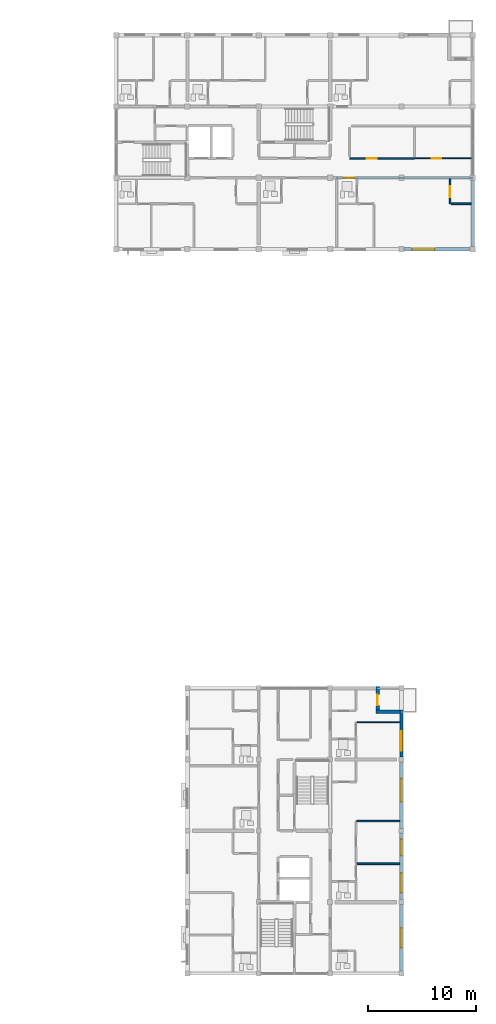
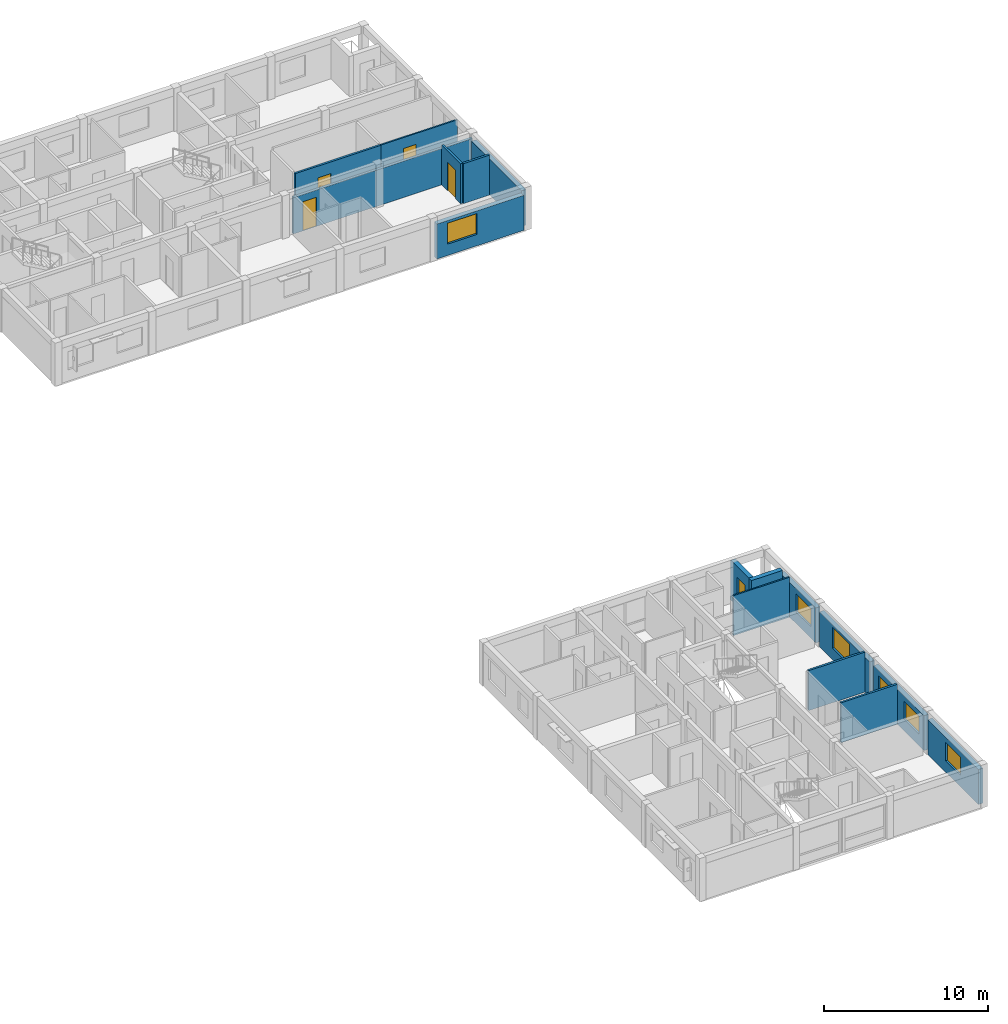
# One storey, part 40 of 53: 16 walls, 6 windows, 5 doors, 11 openings.
"""IFC4 building model written with IfcOpenShell, lengths in metres."""

from ifc_helpers import new_model, si_unit, direction, frame, frame_2d, origin, place, context, subcontext, project, spatial, rectangle, extrude, material, layer, layer_set, type_object, element, fill, save


model = new_model("IFC4")

# Units and contexts
model_context = context("Model", 3, precision=1e-05, world=origin(), true_north=direction((0.0, 1.0)))
body_context = subcontext(model_context, "Body", "Model", "MODEL_VIEW")
ifc_project = project(units=[si_unit("LENGTHUNIT", "METRE"), si_unit("AREAUNIT", "SQUARE_METRE"), si_unit("VOLUMEUNIT", "CUBIC_METRE"), si_unit("PLANEANGLEUNIT", "RADIAN"), si_unit("MASSUNIT", "GRAM", prefix="KILO")], contexts=[model_context])

# Site, building, storey
site_placement = place(None, origin())
site = spatial("IfcSite", under=ifc_project, at=site_placement, CompositionType="ELEMENT")
building_placement = place(site_placement, origin())
building = spatial("IfcBuilding", under=site, at=building_placement, Name="Kernevlak Ridge Housing Community", CompositionType="ELEMENT")
storey_placement = place(building_placement, frame((0.0, 0.0, 24.39990234375)))
storey = spatial("IfcBuildingStorey", under=building, at=storey_placement, Name="L07", CompositionType="ELEMENT", Elevation=24.39990234375)

# Wall, opening, window
ifc_material_1 = material(Name="Concrete block masonry M10", Category="masonry")
ifc_layer_1 = layer(ifc_material_1, 0.320068359375, Name="Concrete block masonry M10")
ifc_layer_set_1 = layer_set([ifc_layer_1], Name="Concrete block masonry M10")
wall_type_1 = type_object("IfcWallType", Name="EW-02", PredefinedType="STANDARD", material=ifc_layer_set_1)
wall_1_placement = place(storey_placement, frame((146.050048828125, 82.60009765625, 0.0), z_axis=(0.0, 0.0, 1.0), x_axis=(1.0, 0.0, 0.0)))
wall_1 = element("IfcWall", 1, at=wall_1_placement, inside=storey, type_object=wall_type_1, Name="Exterior wall EW-02 L07 407", PredefinedType="STANDARD", context=body_context, shape_type="SweptSolid", body=[
    extrude(rectangle(XDim=6.099853515625, YDim=0.320068359375, at=frame_2d((3.0498046875, 0.0))), origin(), (0.0, 0.0, 1.0), 2.60009765625),
])
opening_1_placement = place(wall_1_placement, frame((0.72509765625, 0.0, 0.85009765625)))
opening_1 = element("IfcOpeningElement", 2, at=opening_1_placement, cuts=wall_1, Name="Opening WT-05", PredefinedType="OPENING", context=body_context, shape_type="SweptSolid", body=[
    extrude(rectangle(XDim=2.10009765625, YDim=1.550048828125, at=frame_2d((1.050048828125, 0.77490234375))), frame((0.0, 0.169921875, 0.0), z_axis=(0.0, -1.0, 0.0), x_axis=(1.0, 0.0, 0.0)), (0.0, 0.0, 1.0), 0.340087890625),
])
ifc_material_2 = material(Name="Aluminium EN AW-6060 anodised and laminated glass", Category="aluminium")
window_type_1 = type_object("IfcWindowType", Name="WT-05", PartitioningType="SINGLE_PANEL", PredefinedType="WINDOW", material=ifc_material_2)
window_1_placement = place(opening_1_placement, origin())
window_1 = element("IfcWindow", 3, at=window_1_placement, inside=storey, type_object=window_type_1, Name="Window WT-05 L07 314", OverallHeight=1.550048828125, OverallWidth=2.10009765625, PartitioningType="SINGLE_PANEL", PredefinedType="WINDOW", context=body_context, shape_type="SweptSolid", body=[
    extrude(rectangle(XDim=2.10009765625, YDim=1.550048828125, at=frame_2d((1.050048828125, 0.77490234375))), frame((0.0, 0.030029296875, 0.0), z_axis=(0.0, -1.0, 0.0), x_axis=(1.0, 0.0, 0.0)), (0.0, 0.0, 1.0), 0.06005859375),
])
fill(opening_1, window_1)

# Wall
wall_2_placement = place(storey_placement, frame((152.39990234375, 82.85009765625, 0.0), z_axis=(0.0, 0.0, 1.0), x_axis=(0.0, 1.0, 0.0)))
element("IfcWall", 4, at=wall_2_placement, inside=storey, type_object=wall_type_1, Name="Exterior wall EW-02 L07 417", PredefinedType="STANDARD", context=body_context, shape_type="SweptSolid", body=[
    extrude(rectangle(XDim=6.099853515625, YDim=0.320068359375, at=frame_2d((3.0498046875, 0.0))), origin(), (0.0, 0.0, 1.0), 2.650146484375),
])

# Wall, opening, window
wall_3_placement = place(storey_placement, frame((145.800048828125, 15.824951171875, 0.0), z_axis=(0.0, 0.0, 1.0), x_axis=(0.0, 1.0, 0.0)))
wall_3 = element("IfcWall", 5, at=wall_3_placement, inside=storey, type_object=wall_type_1, Name="Exterior wall EW-02 L07 632", PredefinedType="STANDARD", context=body_context, shape_type="SweptSolid", body=[
    extrude(rectangle(XDim=6.150146484375, YDim=0.320068359375, at=frame_2d((3.0751953125, 0.0))), origin(), (0.0, 0.0, 1.0), 2.60009765625),
])
opening_2_placement = place(wall_3_placement, frame((2.175048828125, 0.0, 0.85009765625)))
opening_2 = element("IfcOpeningElement", 6, at=opening_2_placement, cuts=wall_3, Name="Opening WT-03", PredefinedType="OPENING", context=body_context, shape_type="SweptSolid", body=[
    extrude(rectangle(XDim=1.800048828125, YDim=1.35009765625, at=frame_2d((0.89990234375, 0.675048828125))), frame((0.0, 0.169921875, 0.0), z_axis=(0.0, -1.0, 0.0), x_axis=(1.0, 0.0, 0.0)), (0.0, 0.0, 1.0), 0.340087890625),
])
window_type_2 = type_object("IfcWindowType", Name="WT-03", PartitioningType="SINGLE_PANEL", PredefinedType="WINDOW", material=ifc_material_2)
window_2_placement = place(opening_2_placement, origin())
window_2 = element("IfcWindow", 7, at=window_2_placement, inside=storey, type_object=window_type_2, Name="Window WT-03 L07 515", OverallHeight=1.35009765625, OverallWidth=1.800048828125, PartitioningType="SINGLE_PANEL", PredefinedType="WINDOW", context=body_context, shape_type="SweptSolid", body=[
    extrude(rectangle(XDim=1.800048828125, YDim=1.35009765625, at=frame_2d((0.89990234375, 0.675048828125))), frame((0.0, 0.030029296875, 0.0), z_axis=(0.0, -1.0, 0.0), x_axis=(1.0, 0.0, 0.0)), (0.0, 0.0, 1.0), 0.06005859375),
])
fill(opening_2, window_2)

# Wall, openings, windows
wall_4_placement = place(storey_placement, frame((145.800048828125, 22.425048828125, 0.0), z_axis=(0.0, 0.0, 1.0), x_axis=(0.0, 1.0, 0.0)))
wall_4 = element("IfcWall", 8, at=wall_4_placement, inside=storey, type_object=wall_type_1, Name="Exterior wall EW-02 L07 633", PredefinedType="STANDARD", context=body_context, shape_type="SweptSolid", body=[
    extrude(rectangle(XDim=6.14990234375, YDim=0.320068359375, at=frame_2d((3.074951171875, 0.0))), origin(), (0.0, 0.0, 1.0), 2.60009765625),
])
opening_3_placement = place(wall_4_placement, frame((0.64990234375, 0.0, 0.85009765625)))
opening_3 = element("IfcOpeningElement", 9, at=opening_3_placement, cuts=wall_4, Name="Opening WT-03", PredefinedType="OPENING", context=body_context, shape_type="SweptSolid", body=[
    extrude(rectangle(XDim=1.800048828125, YDim=1.35009765625, at=frame_2d((0.89990234375, 0.675048828125))), frame((0.0, 0.169921875, 0.0), z_axis=(0.0, -1.0, 0.0), x_axis=(1.0, 0.0, 0.0)), (0.0, 0.0, 1.0), 0.340087890625),
])
opening_4_placement = place(wall_4_placement, frame((4.074951171875, 0.0, 0.85009765625)))
opening_4 = element("IfcOpeningElement", 10, at=opening_4_placement, cuts=wall_4, Name="Opening WT-02", PredefinedType="OPENING", context=body_context, shape_type="SweptSolid", body=[
    extrude(rectangle(XDim=1.5, YDim=1.35009765625, at=frame_2d((0.75, 0.675048828125))), frame((0.0, 0.169921875, 0.0), z_axis=(0.0, -1.0, 0.0), x_axis=(1.0, 0.0, 0.0)), (0.0, 0.0, 1.0), 0.340087890625),
])
window_type_3 = type_object("IfcWindowType", Name="WT-02", PartitioningType="SINGLE_PANEL", PredefinedType="WINDOW", material=ifc_material_2)
window_3_placement = place(opening_4_placement, origin())
window_3 = element("IfcWindow", 11, at=window_3_placement, inside=storey, type_object=window_type_3, Name="Window WT-02 L07 517", OverallHeight=1.35009765625, OverallWidth=1.5, PartitioningType="SINGLE_PANEL", PredefinedType="WINDOW", context=body_context, shape_type="SweptSolid", body=[
    extrude(rectangle(XDim=1.5, YDim=1.35009765625, at=frame_2d((0.75, 0.675048828125))), frame((0.0, 0.030029296875, 0.0), z_axis=(0.0, -1.0, 0.0), x_axis=(1.0, 0.0, 0.0)), (0.0, 0.0, 1.0), 0.06005859375),
])
fill(opening_4, window_3)
window_4_placement = place(opening_3_placement, origin())
window_4 = element("IfcWindow", 12, at=window_4_placement, inside=storey, type_object=window_type_2, Name="Window WT-03 L07 516", OverallHeight=1.35009765625, OverallWidth=1.800048828125, PartitioningType="SINGLE_PANEL", PredefinedType="WINDOW", context=body_context, shape_type="SweptSolid", body=[
    extrude(rectangle(XDim=1.800048828125, YDim=1.35009765625, at=frame_2d((0.89990234375, 0.675048828125))), frame((0.0, 0.030029296875, 0.0), z_axis=(0.0, -1.0, 0.0), x_axis=(1.0, 0.0, 0.0)), (0.0, 0.0, 1.0), 0.06005859375),
])
fill(opening_3, window_4)

# Wall, opening, window
wall_5_placement = place(storey_placement, frame((145.800048828125, 29.02490234375, 0.0), z_axis=(0.0, 0.0, 1.0), x_axis=(0.0, 1.0, 0.0)))
wall_5 = element("IfcWall", 13, at=wall_5_placement, inside=storey, type_object=wall_type_1, Name="Exterior wall EW-02 L07 634", PredefinedType="STANDARD", context=body_context, shape_type="SweptSolid", body=[
    extrude(rectangle(XDim=6.150146484375, YDim=0.320068359375, at=frame_2d((3.0751953125, 0.0))), origin(), (0.0, 0.0, 1.0), 2.60009765625),
])
opening_5_placement = place(wall_5_placement, frame((2.470947265625, 0.0, 0.85009765625)))
opening_5 = element("IfcOpeningElement", 14, at=opening_5_placement, cuts=wall_5, Name="Opening WT-05", PredefinedType="OPENING", context=body_context, shape_type="SweptSolid", body=[
    extrude(rectangle(XDim=2.10009765625, YDim=1.550048828125, at=frame_2d((1.050048828125, 0.77490234375))), frame((0.0, 0.169921875, 0.0), z_axis=(0.0, -1.0, 0.0), x_axis=(1.0, 0.0, 0.0)), (0.0, 0.0, 1.0), 0.340087890625),
])
window_5_placement = place(opening_5_placement, origin())
window_5 = element("IfcWindow", 15, at=window_5_placement, inside=storey, type_object=window_type_1, Name="Window WT-05 L07 518", OverallHeight=1.550048828125, OverallWidth=2.10009765625, PartitioningType="SINGLE_PANEL", PredefinedType="WINDOW", context=body_context, shape_type="SweptSolid", body=[
    extrude(rectangle(XDim=2.10009765625, YDim=1.550048828125, at=frame_2d((1.050048828125, 0.77490234375))), frame((0.0, 0.030029296875, 0.0), z_axis=(0.0, -1.0, 0.0), x_axis=(1.0, 0.0, 0.0)), (0.0, 0.0, 1.0), 0.06005859375),
])
fill(opening_5, window_5)

wall_6_placement = place(storey_placement, frame((145.800048828125, 35.625, 0.0), z_axis=(0.0, 0.0, 1.0), x_axis=(0.0, 1.0, 0.0)))
wall_6 = element("IfcWall", 16, at=wall_6_placement, inside=storey, type_object=wall_type_1, Name="Exterior wall EW-02 L07 635", PredefinedType="STANDARD", context=body_context, shape_type="SweptSolid", body=[
    extrude(rectangle(XDim=4.3349609375, YDim=0.320068359375, at=frame_2d((2.16748046875, 0.0))), origin(), (0.0, 0.0, 1.0), 2.60009765625),
])
opening_6_placement = place(wall_6_placement, frame((0.60009765625, 0.0, 0.85009765625)))
opening_6 = element("IfcOpeningElement", 17, at=opening_6_placement, cuts=wall_6, Name="Opening WT-03", PredefinedType="OPENING", context=body_context, shape_type="SweptSolid", body=[
    extrude(rectangle(XDim=1.800048828125, YDim=1.35009765625, at=frame_2d((0.89990234375, 0.675048828125))), frame((0.0, 0.169921875, 0.0), z_axis=(0.0, -1.0, 0.0), x_axis=(1.0, 0.0, 0.0)), (0.0, 0.0, 1.0), 0.340087890625),
])
window_6_placement = place(opening_6_placement, origin())
window_6 = element("IfcWindow", 18, at=window_6_placement, inside=storey, type_object=window_type_2, Name="Window WT-03 L07 519", OverallHeight=1.35009765625, OverallWidth=1.800048828125, PartitioningType="SINGLE_PANEL", PredefinedType="WINDOW", context=body_context, shape_type="SweptSolid", body=[
    extrude(rectangle(XDim=1.800048828125, YDim=1.35009765625, at=frame_2d((0.89990234375, 0.675048828125))), frame((0.0, 0.030029296875, 0.0), z_axis=(0.0, -1.0, 0.0), x_axis=(1.0, 0.0, 0.0)), (0.0, 0.0, 1.0), 0.06005859375),
])
fill(opening_6, window_6)

# Wall
wall_7_placement = place(storey_placement, frame((145.639892578125, 39.800048828125, 0.0), z_axis=(0.0, 0.0, 1.0), x_axis=(-1.0, 0.0, 0.0)))
element("IfcWall", 19, at=wall_7_placement, inside=storey, type_object=wall_type_1, Name="Exterior wall EW-02 L07 636", PredefinedType="STANDARD", context=body_context, shape_type="SweptSolid", body=[
    extrude(rectangle(XDim=2.199951171875, YDim=0.320068359375, at=frame_2d((1.10009765625, 0.0))), origin(), (0.0, 0.0, 1.0), 2.97021484375),
])

# Wall, opening, door
wall_8_placement = place(storey_placement, frame((143.60009765625, 39.9599609375, 0.0), z_axis=(0.0, 0.0, 1.0), x_axis=(0.0, 1.0, 0.0)))
wall_8 = element("IfcWall", 20, at=wall_8_placement, inside=storey, type_object=wall_type_1, Name="Exterior wall EW-02 L07 637", PredefinedType="STANDARD", context=body_context, shape_type="SweptSolid", body=[
    extrude(rectangle(XDim=2.199951171875, YDim=0.320068359375, at=frame_2d((1.10009765625, 0.0))), origin(), (0.0, 0.0, 1.0), 2.97021484375),
])
opening_7_placement = place(wall_8_placement, frame((0.43994140625, 0.0, 0.0)))
opening_7 = element("IfcOpeningElement", 21, at=opening_7_placement, cuts=wall_8, Name="Opening E322", PredefinedType="OPENING", context=body_context, shape_type="SweptSolid", body=[
    extrude(rectangle(XDim=1.0, YDim=2.14990234375, at=frame_2d((0.5, 1.074951171875))), frame((0.0, 0.169921875, 0.0), z_axis=(0.0, -1.0, 0.0), x_axis=(1.0, 0.0, 0.0)), (0.0, 0.0, 1.0), 0.340087890625),
])
ifc_material_3 = material(Name="Aluminium EN AW-6060 and laminated safety glass", Category="aluminium")
door_type_1 = type_object("IfcDoorType", Name="DT-08", OperationType="NOTDEFINED", PredefinedType="DOOR", material=ifc_material_3)
door_1_placement = place(opening_7_placement, origin())
door_1 = element("IfcDoor", 22, at=door_1_placement, inside=storey, type_object=door_type_1, Name="Flat C0723 corner balcony glazed door E322", OperationType="SINGLE_SWING_LEFT", OverallHeight=2.14990234375, OverallWidth=1.0, PredefinedType="DOOR", context=body_context, shape_type="SweptSolid", body=[
    extrude(rectangle(XDim=1.0, YDim=2.14990234375, at=frame_2d((0.5, 1.074951171875))), frame((0.0, 0.02490234375, 0.0), z_axis=(0.0, -1.0, 0.0), x_axis=(1.0, 0.0, 0.0)), (0.0, 0.0, 1.0), 0.050048828125),
])
fill(opening_7, door_1)

ifc_layer_2 = layer(ifc_material_1, 0.175048828125, Name="Concrete block masonry M10")
ifc_layer_set_2 = layer_set([ifc_layer_2], Name="Concrete block masonry M10")
wall_type_2 = type_object("IfcWallType", Name="PW-02", PredefinedType="PARTITIONING", material=ifc_layer_set_2)
wall_9_placement = place(storey_placement, frame((139.800048828125, 89.199951171875, 0.0), z_axis=(0.0, 0.0, 1.0), x_axis=(1.0, 0.0, 0.0)))
wall_9 = element("IfcWall", 23, at=wall_9_placement, inside=storey, type_object=wall_type_2, Name="Interior wall PW-02 WAL-INT-L07-1608", PredefinedType="PARTITIONING", context=body_context, shape_type="SweptSolid", body=[
    extrude(rectangle(XDim=12.599853515625, YDim=0.175048828125, at=frame_2d((6.2998046875, 0.0))), origin(), (0.0, 0.0, 1.0), 2.7001953125),
])
opening_8_placement = place(wall_9_placement, frame((0.669921875, 0.0, 0.0)))
opening_8 = element("IfcOpeningElement", 24, at=opening_8_placement, cuts=wall_9, Name="Opening D813", PredefinedType="OPENING", context=body_context, shape_type="SweptSolid", body=[
    extrude(rectangle(XDim=0.949951171875, YDim=2.159912109375, at=frame_2d((0.47509765625, 1.080078125))), frame((0.0, 0.097412109375, 0.0), z_axis=(0.0, -1.0, 0.0), x_axis=(1.0, 0.0, 0.0)), (0.0, 0.0, 1.0), 0.195068359375),
])
ifc_material_4 = material(Name="Hardwood timber solid-core fire leaf", Category="wood")
door_type_2 = type_object("IfcDoorType", Name="DT-02", OperationType="NOTDEFINED", PredefinedType="DOOR", material=ifc_material_4)
door_2_placement = place(opening_8_placement, origin())
door_2 = element("IfcDoor", 25, at=door_2_placement, inside=storey, type_object=door_type_2, Name="Flat B0713 entrance fire door D813", OperationType="SINGLE_SWING_LEFT", OverallHeight=2.159912109375, OverallWidth=0.949951171875, PredefinedType="DOOR", context=body_context, shape_type="SweptSolid", body=[
    extrude(rectangle(XDim=0.949951171875, YDim=2.159912109375, at=frame_2d((0.47509765625, 1.080078125))), frame((0.0, 0.02490234375, 0.0), z_axis=(0.0, -1.0, 0.0), x_axis=(1.0, 0.0, 0.0)), (0.0, 0.0, 1.0), 0.050048828125),
])
fill(opening_8, door_2)

ifc_layer_3 = layer(ifc_material_1, 0.14501953125, Name="Concrete block masonry M10")
ifc_layer_set_3 = layer_set([ifc_layer_3], Name="Concrete block masonry M10")
wall_type_3 = type_object("IfcWallType", Name="PW-03", PredefinedType="PARTITIONING", material=ifc_layer_set_3)
wall_10_placement = place(storey_placement, frame((141.0, 91.0, 0.0), z_axis=(0.0, 0.0, 1.0), x_axis=(1.0, 0.0, 0.0)))
wall_10 = element("IfcWall", 26, at=wall_10_placement, inside=storey, type_object=wall_type_3, Name="Interior wall PW-03 WAL-INT-L07-1590", PredefinedType="PARTITIONING", context=body_context, shape_type="SweptSolid", body=[
    extrude(rectangle(XDim=6.0, YDim=0.14501953125, at=frame_2d((3.0, 0.0))), origin(), (0.0, 0.0, 1.0), 2.97021484375),
])
opening_9_placement = place(wall_10_placement, frame((1.60009765625, 0.0, 0.0)))
opening_9 = element("IfcOpeningElement", 27, at=opening_9_placement, cuts=wall_10, Name="Opening D804", PredefinedType="OPENING", context=body_context, shape_type="SweptSolid", body=[
    extrude(rectangle(XDim=0.89990234375, YDim=2.10009765625, at=frame_2d((0.449951171875, 1.050048828125))), frame((0.0, 0.08251953125, 0.0), z_axis=(0.0, -1.0, 0.0), x_axis=(1.0, 0.0, 0.0)), (0.0, 0.0, 1.0), 0.1650390625),
])
ifc_material_5 = material(Name="Hardwood timber leaf", Category="wood")
door_type_3 = type_object("IfcDoorType", Name="DT-21", OperationType="NOTDEFINED", PredefinedType="DOOR", material=ifc_material_5)
door_3_placement = place(opening_9_placement, origin())
door_3 = element("IfcDoor", 28, at=door_3_placement, inside=storey, type_object=door_type_3, Name="Block B Laundry room door D804", OperationType="SINGLE_SWING_RIGHT", OverallHeight=2.10009765625, OverallWidth=0.89990234375, PredefinedType="DOOR", context=body_context, shape_type="SweptSolid", body=[
    extrude(rectangle(XDim=0.89990234375, YDim=2.10009765625, at=frame_2d((0.449951171875, 1.050048828125))), frame((0.0, 0.02490234375, 0.0), z_axis=(0.0, -1.0, 0.0), x_axis=(1.0, 0.0, 0.0)), (0.0, 0.0, 1.0), 0.050048828125),
])
fill(opening_9, door_3)

# Walls
wall_11_placement = place(storey_placement, frame((141.679931640625, 25.75, 0.0), z_axis=(0.0, 0.0, 1.0), x_axis=(1.0, 0.0, 0.0)))
element("IfcWall", 29, at=wall_11_placement, inside=storey, type_object=wall_type_3, Name="Interior wall PW-03 WAL-INT-L07-2597", PredefinedType="PARTITIONING", context=body_context, shape_type="SweptSolid", body=[
    extrude(rectangle(XDim=3.949951171875, YDim=0.14501953125, at=frame_2d((1.97509765625, 0.0))), origin(), (0.0, 0.0, 1.0), 2.97021484375),
])
wall_12_placement = place(storey_placement, frame((141.6826171875, 29.69189453125, 0.0), z_axis=(0.0, 0.0, 1.0), x_axis=(1.0, 0.0, 0.0)))
element("IfcWall", 30, at=wall_12_placement, inside=storey, type_object=wall_type_3, Name="Interior wall PW-03 WAL-INT-L07-2599", PredefinedType="PARTITIONING", context=body_context, shape_type="SweptSolid", body=[
    extrude(rectangle(XDim=3.947265625, YDim=0.14501953125, at=frame_2d((1.9736328125, 0.0))), origin(), (0.0, 0.0, 1.0), 2.97021484375),
])

# Wall, opening, door
ifc_material_6 = material(Name="Gypsum plasterboard EN 520", Category="gypsum")
ifc_layer_4 = layer(ifc_material_6, 0.155029296875, Name="Gypsum plasterboard EN 520")
ifc_layer_set_4 = layer_set([ifc_layer_4], Name="Gypsum plasterboard EN 520")
wall_type_4 = type_object("IfcWallType", Name="PW-05", PredefinedType="PARTITIONING", material=ifc_layer_set_4)
wall_13_placement = place(storey_placement, frame((150.300048828125, 89.1025390625, 0.0), z_axis=(0.0, 0.0, 1.0), x_axis=(0.0, -1.0, 0.0)))
wall_13 = element("IfcWall", 31, at=wall_13_placement, inside=storey, type_object=wall_type_4, Name="Interior wall PW-05 WAL-INT-L07-1611", PredefinedType="PARTITIONING", context=body_context, shape_type="SweptSolid", body=[
    extrude(rectangle(XDim=2.302490234375, YDim=0.155029296875, at=frame_2d((1.1513671875, 0.0))), origin(), (0.0, 0.0, 1.0), 2.97021484375),
])
opening_10_placement = place(wall_13_placement, frame((0.699951171875, 0.0, 0.0)))
opening_10 = element("IfcOpeningElement", 32, at=opening_10_placement, cuts=wall_13, Name="Opening D815", PredefinedType="OPENING", context=body_context, shape_type="SweptSolid", body=[
    extrude(rectangle(XDim=0.97998046875, YDim=2.1201171875, at=frame_2d((0.489990234375, 1.06005859375))), frame((0.0, 0.08740234375, 0.0), z_axis=(0.0, -1.0, 0.0), x_axis=(1.0, 0.0, 0.0)), (0.0, 0.0, 1.0), 0.175048828125),
])
door_type_4 = type_object("IfcDoorType", Name="DT-24", OperationType="NOTDEFINED", PredefinedType="DOOR", material=ifc_material_5)
door_4_placement = place(opening_10_placement, origin())
door_4 = element("IfcDoor", 33, at=door_4_placement, inside=storey, type_object=door_type_4, Name="Flat B0713 kitchen door D815", OperationType="SINGLE_SWING_LEFT", OverallHeight=2.1201171875, OverallWidth=0.97998046875, PredefinedType="DOOR", context=body_context, shape_type="SweptSolid", body=[
    extrude(rectangle(XDim=0.97998046875, YDim=2.1201171875, at=frame_2d((0.489990234375, 1.06005859375))), frame((0.0, 0.02490234375, 0.0), z_axis=(0.0, -1.0, 0.0), x_axis=(1.0, 0.0, 0.0)), (0.0, 0.0, 1.0), 0.050048828125),
])
fill(opening_10, door_4)

# Wall
wall_14_placement = place(storey_placement, frame((150.387451171875, 86.800048828125, 0.0), z_axis=(0.0, 0.0, 1.0), x_axis=(1.0, 0.0, 0.0)))
element("IfcWall", 34, at=wall_14_placement, inside=storey, type_object=wall_type_4, Name="Interior wall PW-05 WAL-INT-L07-1612", PredefinedType="PARTITIONING", context=body_context, shape_type="SweptSolid", body=[
    extrude(rectangle(XDim=1.842529296875, YDim=0.155029296875, at=frame_2d((0.92138671875, 0.0))), origin(), (0.0, 0.0, 1.0), 2.97021484375),
])

# Wall, opening, door
ifc_layer_5 = layer(ifc_material_6, 0.10498046875, Name="Gypsum plasterboard EN 520")
ifc_layer_set_5 = layer_set([ifc_layer_5], Name="Gypsum plasterboard EN 520")
wall_type_5 = type_object("IfcWallType", Name="PW-06", PredefinedType="PARTITIONING", material=ifc_layer_set_5)
wall_15_placement = place(storey_placement, frame((147.0, 91.0, 0.0), z_axis=(0.0, 0.0, 1.0), x_axis=(1.0, 0.0, 0.0)))
wall_15 = element("IfcWall", 35, at=wall_15_placement, inside=storey, type_object=wall_type_5, Name="Interior wall PW-06 WAL-INT-L07-1591", PredefinedType="PARTITIONING", context=body_context, shape_type="SweptSolid", body=[
    extrude(rectangle(XDim=5.39990234375, YDim=0.10498046875, at=frame_2d((2.699951171875, 0.0))), origin(), (0.0, 0.0, 1.0), 2.97021484375),
])
opening_11_placement = place(wall_15_placement, frame((1.60009765625, 0.0, 0.0)))
opening_11 = element("IfcOpeningElement", 36, at=opening_11_placement, cuts=wall_15, Name="Opening D805", PredefinedType="OPENING", context=body_context, shape_type="SweptSolid", body=[
    extrude(rectangle(XDim=0.89990234375, YDim=2.159912109375, at=frame_2d((0.449951171875, 1.080078125))), frame((0.0, 0.0625, 0.0), z_axis=(0.0, -1.0, 0.0), x_axis=(1.0, 0.0, 0.0)), (0.0, 0.0, 1.0), 0.125),
])
door_type_5 = type_object("IfcDoorType", Name="DT-22", OperationType="NOTDEFINED", PredefinedType="DOOR", material=ifc_material_5)
door_5_placement = place(opening_11_placement, origin())
door_5 = element("IfcDoor", 37, at=door_5_placement, inside=storey, type_object=door_type_5, Name="Block B Study room door D805", OperationType="SINGLE_SWING_LEFT", OverallHeight=2.159912109375, OverallWidth=0.89990234375, PredefinedType="DOOR", context=body_context, shape_type="SweptSolid", body=[
    extrude(rectangle(XDim=0.89990234375, YDim=2.159912109375, at=frame_2d((0.449951171875, 1.080078125))), frame((0.0, 0.02490234375, 0.0), z_axis=(0.0, -1.0, 0.0), x_axis=(1.0, 0.0, 0.0)), (0.0, 0.0, 1.0), 0.050048828125),
])
fill(opening_11, door_5)

# Wall
wall_16_placement = place(storey_placement, frame((141.6826171875, 38.85009765625, 0.0), z_axis=(0.0, 0.0, 1.0), x_axis=(1.0, 0.0, 0.0)))
element("IfcWall", 38, at=wall_16_placement, inside=storey, type_object=wall_type_5, Name="Interior wall PW-06 WAL-INT-L07-2606", PredefinedType="PARTITIONING", context=body_context, shape_type="SweptSolid", body=[
    extrude(rectangle(XDim=3.947265625, YDim=0.10498046875, at=frame_2d((1.9736328125, 0.0))), origin(), (0.0, 0.0, 1.0), 2.97021484375),
])

save(model, "model.ifc")
